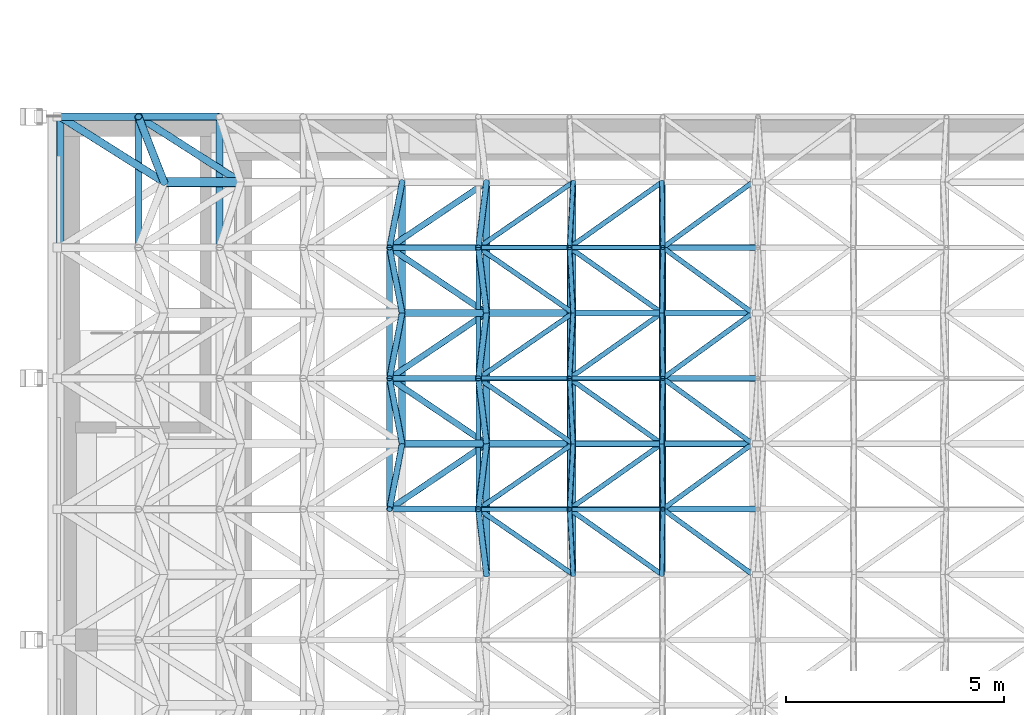
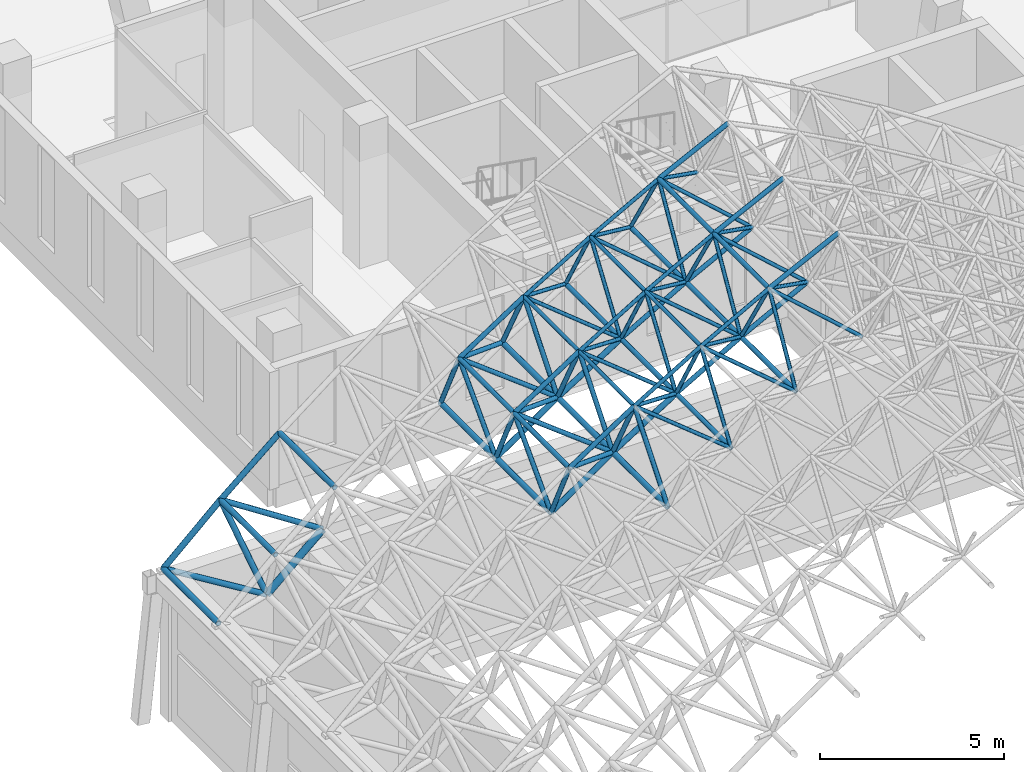
# One storey, part 25 of 141: 94 members.
"""IFC4 building model written with IfcOpenShell, lengths in metres."""

from ifc_helpers import new_model, si_unit, direction, frame, origin, origin_2d, place, context, subcontext, project, spatial, hollow_circle, extrude, material, material_profile, profile_set, type_object, element, save


model = new_model("IFC4")

# Units and contexts
model_context = context("Model", 3, precision=1e-05, world=origin(), true_north=direction((0.0, 1.0)))
body_context = subcontext(model_context, "Body", "Model", "MODEL_VIEW")
ifc_project = project(units=[si_unit("LENGTHUNIT", "METRE"), si_unit("AREAUNIT", "SQUARE_METRE"), si_unit("VOLUMEUNIT", "CUBIC_METRE"), si_unit("PLANEANGLEUNIT", "RADIAN"), si_unit("MASSUNIT", "GRAM", prefix="KILO")], contexts=[model_context])

# Site, building, storey
site_placement = place(None, origin())
site = spatial("IfcSite", under=ifc_project, at=site_placement, CompositionType="ELEMENT")
building_placement = place(site_placement, origin())
building = spatial("IfcBuilding", under=site, at=building_placement, Name="Lantern Court Media Centre", CompositionType="ELEMENT")
storey_placement = place(building_placement, frame((0.0, 0.0, 9.60009765625)))
storey = spatial("IfcBuildingStorey", under=building, at=storey_placement, Name="L02", CompositionType="ELEMENT", Elevation=9.60009765625)

# Members
ifc_material = material(Name="Steel S355J2 (EN 10025-2)", Category="steel")
ifc_material_profile_1 = material_profile(ifc_material, hollow_circle(Radius=0.06982421875, WallThickness=0.00634765625, at=origin_2d()), Name="Cinema Hall bottom CHS 139.7x6.3")
ifc_profile_set_1 = profile_set([ifc_material_profile_1], Name="Steel S355J2 (EN 10025-2)")
member_type_1 = type_object("IfcMemberType", Name="Cinema Hall bottom CHS 139.7x6.3", PredefinedType="CHORD", material=ifc_profile_set_1)
for number, where, z_axis, x_axis, name in (
    (1, (11.76025390625, 29.5, 11.04443359375), (0.0, 1.0, 0.0), (-1.0, 0.0, 0.0), "Cinema Hall bottom chord 06-11"),
    (2, (13.796875, 29.5, 12.21337890625), (0.0, 1.0, 0.0), (-1.0, 0.0, 0.0), "Cinema Hall bottom chord 07-11"),
    (3, (11.76025390625, 32.5, 11.04443359375), (0.0, 1.0, 0.0), (-1.0, 0.0, 0.0), "Cinema Hall bottom chord 06-12"),
    (4, (13.796875, 32.5, 12.21337890625), (0.0, 1.0, 0.0), (-1.0, 0.0, 0.0), "Cinema Hall bottom chord 07-12"),
    (5, (11.76025390625, 35.5, 11.04443359375), (0.0, 1.0, 0.0), (-1.0, 0.0, 0.0), "Cinema Hall bottom chord 06-13"),
    (6, (13.796875, 35.5, 12.21337890625), (0.0, 1.0, 0.0), (-1.0, 0.0, 0.0), "Cinema Hall bottom chord 07-13"),
):
    element("IfcMember", number, at=place(storey_placement, frame(where, z_axis=z_axis, x_axis=x_axis)), inside=storey, type_object=member_type_1, Name=name, PredefinedType="CHORD", context=body_context, shape_type="SweptSolid", body=[
        extrude(hollow_circle(Radius=0.06982421875, WallThickness=0.00634765625, at=origin_2d()), origin(), (0.0, 0.0, 1.0), 3.0),
    ])
member_1_placement = place(storey_placement, frame((11.76025390625, 32.5, 11.04443359375), z_axis=(0.867294659253, 0.0, 0.497795112503), x_axis=(0.0, 1.0, 0.0)))
element("IfcMember", 7, at=member_1_placement, inside=storey, type_object=member_type_1, Name="Cinema Hall bottom chord 06-12 across", PredefinedType="CHORD", context=body_context, shape_type="SweptSolid", body=[
    extrude(hollow_circle(Radius=0.06982421875, WallThickness=0.00634765625, at=origin_2d()), origin(), (0.0, 0.0, 1.0), 2.34814453125),
])
member_2_placement = place(storey_placement, frame((13.796875, 32.5, 12.21337890625), z_axis=(0.88681645353, 0.0, 0.462121821329), x_axis=(0.0, 1.0, 0.0)))
element("IfcMember", 8, at=member_2_placement, inside=storey, type_object=member_type_1, Name="Cinema Hall bottom chord 07-12 across", PredefinedType="CHORD", context=body_context, shape_type="SweptSolid", body=[
    extrude(hollow_circle(Radius=0.06982421875, WallThickness=0.00634765625, at=origin_2d()), origin(), (0.0, 0.0, 1.0), 2.348388671875),
])
member_3_placement = place(storey_placement, frame((11.76025390625, 35.5, 11.04443359375), z_axis=(0.867294659253, 0.0, 0.497795112503), x_axis=(0.0, 1.0, 0.0)))
element("IfcMember", 9, at=member_3_placement, inside=storey, type_object=member_type_1, Name="Cinema Hall bottom chord 06-13 across", PredefinedType="CHORD", context=body_context, shape_type="SweptSolid", body=[
    extrude(hollow_circle(Radius=0.06982421875, WallThickness=0.00634765625, at=origin_2d()), origin(), (0.0, 0.0, 1.0), 2.34814453125),
])
member_4_placement = place(storey_placement, frame((13.796875, 35.5, 12.21337890625), z_axis=(0.88681645353, 0.0, 0.462121821329), x_axis=(0.0, 1.0, 0.0)))
element("IfcMember", 10, at=member_4_placement, inside=storey, type_object=member_type_1, Name="Cinema Hall bottom chord 07-13 across", PredefinedType="CHORD", context=body_context, shape_type="SweptSolid", body=[
    extrude(hollow_circle(Radius=0.06982421875, WallThickness=0.00634765625, at=origin_2d()), origin(), (0.0, 0.0, 1.0), 2.348388671875),
])
ifc_material_profile_2 = material_profile(ifc_material, hollow_circle(Radius=0.084228515625, WallThickness=0.00634765625, at=origin_2d()), Name="Cinema Hall bottom CHS 168.3x6.3")
ifc_profile_set_2 = profile_set([ifc_material_profile_2], Name="Steel S355J2 (EN 10025-2)")
member_type_2 = type_object("IfcMemberType", Name="Cinema Hall bottom CHS 168.3x6.3", PredefinedType="CHORD", material=ifc_profile_set_2)
for number, where, z_axis, x_axis, name in (
    (11, (9.772705078125, 29.5, 9.7939453125), (0.0, 1.0, 0.0), (-1.0, 0.0, 0.0), "Cinema Hall bottom chord 05-11"),
    (12, (9.772705078125, 32.5, 9.7939453125), (0.0, 1.0, 0.0), (-1.0, 0.0, 0.0), "Cinema Hall bottom chord 05-12"),
    (13, (9.772705078125, 35.5, 9.7939453125), (0.0, 1.0, 0.0), (-1.0, 0.0, 0.0), "Cinema Hall bottom chord 05-13"),
):
    element("IfcMember", number, at=place(storey_placement, frame(where, z_axis=z_axis, x_axis=x_axis)), inside=storey, type_object=member_type_2, Name=name, PredefinedType="CHORD", context=body_context, shape_type="SweptSolid", body=[
        extrude(hollow_circle(Radius=0.084228515625, WallThickness=0.00634765625, at=origin_2d()), origin(), (0.0, 0.0, 1.0), 3.0),
    ])
for number, where, z_axis, x_axis, name in (
    (14, (9.772705078125, 32.5, 9.7939453125), (0.846411623189, 0.0, 0.532529214344), (0.0, 1.0, 0.0), "Cinema Hall bottom chord 05-12 across"),
    (15, (9.772705078125, 35.5, 9.7939453125), (0.846411623189, 0.0, 0.532529214344), (0.0, 1.0, 0.0), "Cinema Hall bottom chord 05-13 across"),
):
    element("IfcMember", number, at=place(storey_placement, frame(where, z_axis=z_axis, x_axis=x_axis)), inside=storey, type_object=member_type_2, Name=name, PredefinedType="CHORD", context=body_context, shape_type="SweptSolid", body=[
        extrude(hollow_circle(Radius=0.084228515625, WallThickness=0.00634765625, at=origin_2d()), origin(), (0.0, 0.0, 1.0), 2.34814453125),
    ])
ifc_material_profile_3 = material_profile(ifc_material, hollow_circle(Radius=0.084228515625, WallThickness=0.008056640625, at=origin_2d()), Name="Cinema Hall bottom CHS 168.3x8")
ifc_profile_set_3 = profile_set([ifc_material_profile_3], Name="Steel S355J2 (EN 10025-2)")
member_type_3 = type_object("IfcMemberType", Name="Cinema Hall bottom CHS 168.3x8", PredefinedType="CHORD", material=ifc_profile_set_3)
for number, where, z_axis, x_axis, name in (
    (16, (7.837646484375, 32.5, 8.463623046875), (0.0, 1.0, 0.0), (-1.0, 0.0, 0.0), "Cinema Hall bottom chord 04-12"),
    (17, (7.837646484375, 35.5, 8.463623046875), (0.0, 1.0, 0.0), (-1.0, 0.0, 0.0), "Cinema Hall bottom chord 04-13"),
):
    element("IfcMember", number, at=place(storey_placement, frame(where, z_axis=z_axis, x_axis=x_axis)), inside=storey, type_object=member_type_3, Name=name, PredefinedType="CHORD", context=body_context, shape_type="SweptSolid", body=[
        extrude(hollow_circle(Radius=0.084228515625, WallThickness=0.008056640625, at=origin_2d()), origin(), (0.0, 0.0, 1.0), 3.0),
    ])
for number, where, z_axis, x_axis, name in (
    (18, (7.837646484375, 32.5, 8.463623046875), (0.824047991233, 0.0, 0.56651999801), (0.0, 1.0, 0.0), "Cinema Hall bottom chord 04-12 across"),
    (19, (7.837646484375, 35.5, 8.463623046875), (0.824047991233, 0.0, 0.56651999801), (0.0, 1.0, 0.0), "Cinema Hall bottom chord 04-13 across"),
):
    element("IfcMember", number, at=place(storey_placement, frame(where, z_axis=z_axis, x_axis=x_axis)), inside=storey, type_object=member_type_3, Name=name, PredefinedType="CHORD", context=body_context, shape_type="SweptSolid", body=[
        extrude(hollow_circle(Radius=0.084228515625, WallThickness=0.008056640625, at=origin_2d()), origin(), (0.0, 0.0, 1.0), 2.34814453125),
    ])
ifc_material_profile_4 = material_profile(ifc_material, hollow_circle(Radius=0.109619140625, WallThickness=0.010009765625, at=origin_2d()), Name="Cinema Hall bottom CHS 219.1x10")
ifc_profile_set_4 = profile_set([ifc_material_profile_4], Name="Steel S355J2 (EN 10025-2)")
member_type_4 = type_object("IfcMemberType", Name="Cinema Hall bottom CHS 219.1x10", PredefinedType="CHORD", material=ifc_profile_set_4)
member_5_placement = place(storey_placement, frame((2.378662109375, 38.5, 4.016845703125), z_axis=(0.749030294531, 0.0, 0.662535748375), x_axis=(0.0, 1.0, 0.0)))
element("IfcMember", 20, at=member_5_placement, inside=storey, type_object=member_type_4, Name="Cinema Hall bottom chord 01-14 across", PredefinedType="CHORD", context=body_context, shape_type="SweptSolid", body=[
    extrude(hollow_circle(Radius=0.109619140625, WallThickness=0.010009765625, at=origin_2d()), origin(), (0.0, 0.0, 1.0), 2.348388671875),
])
ifc_material_profile_5 = material_profile(ifc_material, hollow_circle(Radius=0.05712890625, WallThickness=0.0048828125, at=origin_2d()), Name="Cinema Hall diagonal CHS 114.3x5")
ifc_profile_set_5 = profile_set([ifc_material_profile_5], Name="Steel S355J2 (EN 10025-2)")
member_type_5 = type_object("IfcMemberType", Name="Cinema Hall diagonal CHS 114.3x5", PredefinedType="BRACE", material=ifc_profile_set_5)
for number, where, z_axis, x_axis, name in (
    (21, (15.87939453125, 29.5, 13.298583984375), (-0.706879781117, 0.513851085564, 0.486084392789), (-0.587989591395, -0.808868493892, 0.0), "Cinema Hall diagonal 08-11-4"),
    (22, (15.87939453125, 32.5, 13.298583984375), (-0.706879781117, -0.513851085564, 0.486084392789), (0.587989591395, -0.808868493892, 0.0), "Cinema Hall diagonal 08-12-1"),
    (23, (15.87939453125, 32.5, 13.298583984375), (-0.706879781117, 0.513851085564, 0.486084392789), (-0.587989591395, -0.808868493892, 0.0), "Cinema Hall diagonal 08-12-4"),
    (24, (15.87939453125, 35.5, 13.298583984375), (-0.706879781117, -0.513851085564, 0.486084392789), (0.587989591395, -0.808868493892, 0.0), "Cinema Hall diagonal 08-13-1"),
    (25, (15.87939453125, 35.5, 13.298583984375), (-0.706879781117, 0.513851085564, 0.486084392789), (-0.587989591395, -0.808868493892, 0.0), "Cinema Hall diagonal 08-13-4"),
    (26, (15.87939453125, 38.5, 13.298583984375), (-0.706879781117, -0.513851085564, 0.486084392789), (0.587989591395, -0.808868493892, 0.0), "Cinema Hall diagonal 08-14-1"),
):
    element("IfcMember", number, at=place(storey_placement, frame(where, z_axis=z_axis, x_axis=x_axis)), inside=storey, type_object=member_type_5, Name=name, PredefinedType="BRACE", context=body_context, shape_type="SweptSolid", body=[
        extrude(hollow_circle(Radius=0.05712890625, WallThickness=0.0048828125, at=origin_2d()), origin(), (0.0, 0.0, 1.0), 2.919189453125),
    ])
ifc_material_profile_6 = material_profile(ifc_material, hollow_circle(Radius=0.05712890625, WallThickness=0.00634765625, at=origin_2d()), Name="Cinema Hall diagonal CHS 114.3x6.3")
ifc_profile_set_6 = profile_set([ifc_material_profile_6], Name="Steel S355J2 (EN 10025-2)")
member_type_6 = type_object("IfcMemberType", Name="Cinema Hall diagonal CHS 114.3x6.3", PredefinedType="BRACE", material=ifc_profile_set_6)
for number, where, z_axis, x_axis, name in (
    (27, (11.76025390625, 29.5, 11.04443359375), (-0.028351859734, 0.513846095007, 0.857413763999), (-0.998481283351, -0.055091984872, 0.0), "Cinema Hall diagonal 06-11-3"),
    (28, (11.76025390625, 29.5, 11.04443359375), (-0.744001537395, 0.513842788417, 0.427115091218), (-0.568286154794, -0.822830994962, 0.0), "Cinema Hall diagonal 06-11-4"),
    (29, (13.796875, 29.5, 12.21337890625), (0.006523580306, 0.513857402591, 0.857850810283), (-0.99991942426, 0.012694289566, 0.0), "Cinema Hall diagonal 07-11-3"),
    (30, (13.796875, 29.5, 12.21337890625), (-0.726033609038, 0.513852147671, 0.456980490702), (-0.577701627838, -0.816248019411, 0.0), "Cinema Hall diagonal 07-11-4"),
    (31, (11.76025390625, 32.5, 11.04443359375), (-0.744001537395, -0.513842788417, 0.427115091218), (0.568286154794, -0.822830994962, 0.0), "Cinema Hall diagonal 06-12-1"),
    (32, (11.76025390625, 32.5, 11.04443359375), (-0.028351859734, -0.513846095007, 0.857413763999), (0.998481283351, -0.055091984872, 0.0), "Cinema Hall diagonal 06-12-2"),
    (33, (11.76025390625, 32.5, 11.04443359375), (-0.028351859734, 0.513846095007, 0.857413763999), (-0.998481283351, -0.055091984872, 0.0), "Cinema Hall diagonal 06-12-3"),
    (34, (11.76025390625, 32.5, 11.04443359375), (-0.744001537395, 0.513842788417, 0.427115091218), (-0.568286154794, -0.822830994962, 0.0), "Cinema Hall diagonal 06-12-4"),
    (35, (13.796875, 32.5, 12.21337890625), (-0.726033609038, -0.513852147671, 0.456980490702), (0.577701627838, -0.816248019411, 0.0), "Cinema Hall diagonal 07-12-1"),
    (36, (13.796875, 32.5, 12.21337890625), (0.006523580306, -0.513857402591, 0.857850810283), (0.99991942426, 0.012694289566, 0.0), "Cinema Hall diagonal 07-12-2"),
    (37, (13.796875, 32.5, 12.21337890625), (0.006523580306, 0.513857402591, 0.857850810283), (-0.99991942426, 0.012694289566, 0.0), "Cinema Hall diagonal 07-12-3"),
    (38, (13.796875, 32.5, 12.21337890625), (-0.726033609038, 0.513852147671, 0.456980490702), (-0.577701627838, -0.816248019411, 0.0), "Cinema Hall diagonal 07-12-4"),
    (39, (11.76025390625, 35.5, 11.04443359375), (-0.744001537395, -0.513842788417, 0.427115091218), (0.568286154794, -0.822830994962, 0.0), "Cinema Hall diagonal 06-13-1"),
    (40, (11.76025390625, 35.5, 11.04443359375), (-0.028351859734, -0.513846095007, 0.857413763999), (0.998481283351, -0.055091984872, 0.0), "Cinema Hall diagonal 06-13-2"),
    (41, (11.76025390625, 35.5, 11.04443359375), (-0.028351859734, 0.513846095007, 0.857413763999), (-0.998481283351, -0.055091984872, 0.0), "Cinema Hall diagonal 06-13-3"),
    (42, (11.76025390625, 35.5, 11.04443359375), (-0.744001537395, 0.513842788417, 0.427115091218), (-0.568286154794, -0.822830994962, 0.0), "Cinema Hall diagonal 06-13-4"),
    (43, (13.796875, 35.5, 12.21337890625), (-0.726033609038, -0.513852147671, 0.456980490702), (0.577701627838, -0.816248019411, 0.0), "Cinema Hall diagonal 07-13-1"),
    (44, (13.796875, 35.5, 12.21337890625), (0.006523580306, -0.513857402591, 0.857850810283), (0.99991942426, 0.012694289566, 0.0), "Cinema Hall diagonal 07-13-2"),
    (45, (13.796875, 35.5, 12.21337890625), (0.006523580306, 0.513857402591, 0.857850810283), (-0.99991942426, 0.012694289566, 0.0), "Cinema Hall diagonal 07-13-3"),
    (46, (13.796875, 35.5, 12.21337890625), (-0.726033609038, 0.513852147671, 0.456980490702), (-0.577701627838, -0.816248019411, 0.0), "Cinema Hall diagonal 07-13-4"),
    (47, (11.76025390625, 38.5, 11.04443359375), (-0.744001537395, -0.513842788417, 0.427115091218), (0.568286154794, -0.822830994962, 0.0), "Cinema Hall diagonal 06-14-1"),
    (48, (11.76025390625, 38.5, 11.04443359375), (-0.028351859734, -0.513846095007, 0.857413763999), (0.998481283351, -0.055091984872, 0.0), "Cinema Hall diagonal 06-14-2"),
    (49, (13.796875, 38.5, 12.21337890625), (-0.726033609038, -0.513852147671, 0.456980490702), (0.577701627838, -0.816248019411, 0.0), "Cinema Hall diagonal 07-14-1"),
    (50, (13.796875, 38.5, 12.21337890625), (0.006523580306, -0.513857402591, 0.857850810283), (0.99991942426, 0.012694289566, 0.0), "Cinema Hall diagonal 07-14-2"),
):
    element("IfcMember", number, at=place(storey_placement, frame(where, z_axis=z_axis, x_axis=x_axis)), inside=storey, type_object=member_type_6, Name=name, PredefinedType="BRACE", context=body_context, shape_type="SweptSolid", body=[
        extrude(hollow_circle(Radius=0.05712890625, WallThickness=0.00634765625, at=origin_2d()), origin(), (0.0, 0.0, 1.0), 2.919189453125),
    ])
ifc_material_profile_7 = material_profile(ifc_material, hollow_circle(Radius=0.06982421875, WallThickness=0.00634765625, at=origin_2d()), Name="Cinema Hall diagonal CHS 139.7x6.3")
ifc_profile_set_7 = profile_set([ifc_material_profile_7], Name="Steel S355J2 (EN 10025-2)")
member_type_7 = type_object("IfcMemberType", Name="Cinema Hall diagonal CHS 139.7x6.3", PredefinedType="BRACE", material=ifc_profile_set_7)
member_6_placement = place(storey_placement, frame((9.772705078125, 29.5, 9.7939453125), z_axis=(-0.063147046974, 0.513874776966, 0.855537938409), x_axis=(-0.992534194664, -0.121966685705, 0.0)))
element("IfcMember", 51, at=member_6_placement, inside=storey, type_object=member_type_7, Name="Cinema Hall diagonal 05-11-3", PredefinedType="BRACE", context=body_context, shape_type="SweptSolid", body=[
    extrude(hollow_circle(Radius=0.06982421875, WallThickness=0.00634765625, at=origin_2d()), origin(), (0.0, 0.0, 1.0), 2.9189453125),
])
member_7_placement = place(storey_placement, frame((9.772705078125, 32.5, 9.7939453125), z_axis=(-0.760744068819, -0.513853513503, 0.396513591718), x_axis=(0.559735691147, -0.828671199003, 0.0)))
element("IfcMember", 52, at=member_7_placement, inside=storey, type_object=member_type_7, Name="Cinema Hall diagonal 05-12-1", PredefinedType="BRACE", context=body_context, shape_type="SweptSolid", body=[
    extrude(hollow_circle(Radius=0.06982421875, WallThickness=0.00634765625, at=origin_2d()), origin(), (0.0, 0.0, 1.0), 2.919189453125),
])
for number, where, z_axis, x_axis, name in (
    (53, (9.772705078125, 32.5, 9.7939453125), (-0.063147046974, -0.513874776966, 0.855537938409), (0.992534194664, -0.121966685705, 0.0), "Cinema Hall diagonal 05-12-2"),
    (54, (9.772705078125, 32.5, 9.7939453125), (-0.063147046974, 0.513874776966, 0.855537938409), (-0.992534194664, -0.121966685705, 0.0), "Cinema Hall diagonal 05-12-3"),
):
    element("IfcMember", number, at=place(storey_placement, frame(where, z_axis=z_axis, x_axis=x_axis)), inside=storey, type_object=member_type_7, Name=name, PredefinedType="BRACE", context=body_context, shape_type="SweptSolid", body=[
        extrude(hollow_circle(Radius=0.06982421875, WallThickness=0.00634765625, at=origin_2d()), origin(), (0.0, 0.0, 1.0), 2.9189453125),
    ])
for number, where, z_axis, x_axis, name in (
    (55, (9.772705078125, 32.5, 9.7939453125), (-0.760744068819, 0.513853513503, 0.396513591718), (-0.559735691147, -0.828671199003, 0.0), "Cinema Hall diagonal 05-12-4"),
    (56, (9.772705078125, 35.5, 9.7939453125), (-0.760744068819, -0.513853513503, 0.396513591718), (0.559735691147, -0.828671199003, 0.0), "Cinema Hall diagonal 05-13-1"),
):
    element("IfcMember", number, at=place(storey_placement, frame(where, z_axis=z_axis, x_axis=x_axis)), inside=storey, type_object=member_type_7, Name=name, PredefinedType="BRACE", context=body_context, shape_type="SweptSolid", body=[
        extrude(hollow_circle(Radius=0.06982421875, WallThickness=0.00634765625, at=origin_2d()), origin(), (0.0, 0.0, 1.0), 2.919189453125),
    ])
for number, where, z_axis, x_axis, name in (
    (57, (9.772705078125, 35.5, 9.7939453125), (-0.063147046974, -0.513874776966, 0.855537938409), (0.992534194664, -0.121966685705, 0.0), "Cinema Hall diagonal 05-13-2"),
    (58, (9.772705078125, 35.5, 9.7939453125), (-0.063147046974, 0.513874776966, 0.855537938409), (-0.992534194664, -0.121966685705, 0.0), "Cinema Hall diagonal 05-13-3"),
):
    element("IfcMember", number, at=place(storey_placement, frame(where, z_axis=z_axis, x_axis=x_axis)), inside=storey, type_object=member_type_7, Name=name, PredefinedType="BRACE", context=body_context, shape_type="SweptSolid", body=[
        extrude(hollow_circle(Radius=0.06982421875, WallThickness=0.00634765625, at=origin_2d()), origin(), (0.0, 0.0, 1.0), 2.9189453125),
    ])
for number, where, z_axis, x_axis, name in (
    (59, (9.772705078125, 35.5, 9.7939453125), (-0.760744068819, 0.513853513503, 0.396513591718), (-0.559735691147, -0.828671199003, 0.0), "Cinema Hall diagonal 05-13-4"),
    (60, (9.772705078125, 38.5, 9.7939453125), (-0.760744068819, -0.513853513503, 0.396513591718), (0.559735691147, -0.828671199003, 0.0), "Cinema Hall diagonal 05-14-1"),
):
    element("IfcMember", number, at=place(storey_placement, frame(where, z_axis=z_axis, x_axis=x_axis)), inside=storey, type_object=member_type_7, Name=name, PredefinedType="BRACE", context=body_context, shape_type="SweptSolid", body=[
        extrude(hollow_circle(Radius=0.06982421875, WallThickness=0.00634765625, at=origin_2d()), origin(), (0.0, 0.0, 1.0), 2.919189453125),
    ])
member_8_placement = place(storey_placement, frame((9.772705078125, 38.5, 9.7939453125), z_axis=(-0.063147046974, -0.513874776966, 0.855537938409), x_axis=(0.992534194664, -0.121966685705, 0.0)))
element("IfcMember", 61, at=member_8_placement, inside=storey, type_object=member_type_7, Name="Cinema Hall diagonal 05-14-2", PredefinedType="BRACE", context=body_context, shape_type="SweptSolid", body=[
    extrude(hollow_circle(Radius=0.06982421875, WallThickness=0.00634765625, at=origin_2d()), origin(), (0.0, 0.0, 1.0), 2.9189453125),
])
ifc_material_profile_8 = material_profile(ifc_material, hollow_circle(Radius=0.06982421875, WallThickness=0.008056640625, at=origin_2d()), Name="Cinema Hall diagonal CHS 139.7x8")
ifc_profile_set_8 = profile_set([ifc_material_profile_8], Name="Steel S355J2 (EN 10025-2)")
member_type_8 = type_object("IfcMemberType", Name="Cinema Hall diagonal CHS 139.7x8", PredefinedType="BRACE", material=ifc_profile_set_8)
for number, where, z_axis, x_axis, name in (
    (62, (7.837646484375, 32.5, 8.463623046875), (-0.09785614588, -0.51387022247, 0.852268484207), (0.982346962135, -0.187068025016, 0.0), "Cinema Hall diagonal 04-12-2"),
    (63, (7.837646484375, 32.5, 8.463623046875), (-0.09785614588, 0.51387022247, 0.852268484207), (-0.982346962135, -0.187068025016, 0.0), "Cinema Hall diagonal 04-12-3"),
    (64, (7.837646484375, 35.5, 8.463623046875), (-0.09785614588, -0.51387022247, 0.852268484207), (0.982346962135, -0.187068025016, 0.0), "Cinema Hall diagonal 04-13-2"),
    (65, (7.837646484375, 35.5, 8.463623046875), (-0.09785614588, 0.51387022247, 0.852268484207), (-0.982346962135, -0.187068025016, 0.0), "Cinema Hall diagonal 04-13-3"),
    (66, (7.837646484375, 38.5, 8.463623046875), (-0.09785614588, -0.51387022247, 0.852268484207), (0.982346962135, -0.187068025016, 0.0), "Cinema Hall diagonal 04-14-2"),
):
    element("IfcMember", number, at=place(storey_placement, frame(where, z_axis=z_axis, x_axis=x_axis)), inside=storey, type_object=member_type_8, Name=name, PredefinedType="BRACE", context=body_context, shape_type="SweptSolid", body=[
        extrude(hollow_circle(Radius=0.06982421875, WallThickness=0.008056640625, at=origin_2d()), origin(), (0.0, 0.0, 1.0), 2.9189453125),
    ])
ifc_material_profile_9 = material_profile(ifc_material, hollow_circle(Radius=0.084228515625, WallThickness=0.010009765625, at=origin_2d()), Name="Cinema Hall diagonal CHS 168.3x10")
ifc_profile_set_9 = profile_set([ifc_material_profile_9], Name="Steel S355J2 (EN 10025-2)")
member_type_9 = type_object("IfcMemberType", Name="Cinema Hall diagonal CHS 168.3x10", PredefinedType="BRACE", material=ifc_profile_set_9)
member_9_placement = place(storey_placement, frame((4.1376953125, 38.5, 5.57275390625), z_axis=(-0.803309435106, 0.513850408047, 0.301084223465), x_axis=(-0.538854579896, -0.842398802068, 0.0)))
element("IfcMember", 67, at=member_9_placement, inside=storey, type_object=member_type_9, Name="Cinema Hall diagonal 02-14-4", PredefinedType="BRACE", context=body_context, shape_type="SweptSolid", body=[
    extrude(hollow_circle(Radius=0.084228515625, WallThickness=0.010009765625, at=origin_2d()), origin(), (0.0, 0.0, 1.0), 2.919189453125),
])
ifc_material_profile_10 = material_profile(ifc_material, hollow_circle(Radius=0.0888671875, WallThickness=0.010009765625, at=origin_2d()), Name="Cinema Hall diagonal CHS 177.8x10")
ifc_profile_set_10 = profile_set([ifc_material_profile_10], Name="Steel S355J2 (EN 10025-2)")
member_type_10 = type_object("IfcMemberType", Name="Cinema Hall diagonal CHS 177.8x10", PredefinedType="BRACE", material=ifc_profile_set_10)
for number, where, z_axis, x_axis, name in (
    (68, (2.378662109375, 38.5, 4.016845703125), (-0.200719513512, 0.513841954591, 0.834073211773), (-0.93145734948, -0.36385052714, 0.0), "Cinema Hall diagonal 01-14-3"),
    (69, (2.378662109375, 38.5, 4.016845703125), (-0.814865608485, 0.513859622142, 0.268220671909), (-0.533404912089, -0.845860035561, 0.0), "Cinema Hall diagonal 01-14-4"),
):
    element("IfcMember", number, at=place(storey_placement, frame(where, z_axis=z_axis, x_axis=x_axis)), inside=storey, type_object=member_type_10, Name=name, PredefinedType="BRACE", context=body_context, shape_type="SweptSolid", body=[
        extrude(hollow_circle(Radius=0.0888671875, WallThickness=0.010009765625, at=origin_2d()), origin(), (0.0, 0.0, 1.0), 2.919189453125),
    ])
ifc_material_profile_11 = material_profile(ifc_material, hollow_circle(Radius=0.05712890625, WallThickness=0.00634765625, at=origin_2d()), Name="Cinema Hall top CHS 114.3x6.3")
ifc_profile_set_11 = profile_set([ifc_material_profile_11], Name="Steel S355J2 (EN 10025-2)")
member_type_11 = type_object("IfcMemberType", Name="Cinema Hall top CHS 114.3x6.3", PredefinedType="CHORD", material=ifc_profile_set_11)
for number, where, z_axis, x_axis, name in (
    (70, (9.58837890625, 31.0, 12.291259765625), (0.0, 1.0, 0.0), (-1.0, 0.0, 0.0), "Cinema Hall top chord 06-12"),
    (71, (11.677490234375, 31.0, 13.54736328125), (0.0, 1.0, 0.0), (-1.0, 0.0, 0.0), "Cinema Hall top chord 07-12"),
    (72, (9.58837890625, 34.0, 12.291259765625), (0.0, 1.0, 0.0), (-1.0, 0.0, 0.0), "Cinema Hall top chord 06-13"),
    (73, (11.677490234375, 34.0, 13.54736328125), (0.0, 1.0, 0.0), (-1.0, 0.0, 0.0), "Cinema Hall top chord 07-13"),
):
    element("IfcMember", number, at=place(storey_placement, frame(where, z_axis=z_axis, x_axis=x_axis)), inside=storey, type_object=member_type_11, Name=name, PredefinedType="CHORD", context=body_context, shape_type="SweptSolid", body=[
        extrude(hollow_circle(Radius=0.05712890625, WallThickness=0.00634765625, at=origin_2d()), origin(), (0.0, 0.0, 1.0), 3.0),
    ])
for number, where, z_axis, x_axis, name in (
    (74, (9.58837890625, 31.0, 12.291259765625), (0.857015353865, 0.0, 0.515290872459), (0.0, 1.0, 0.0), "Cinema Hall top chord 06-12 across"),
    (75, (11.677490234375, 31.0, 13.54736328125), (0.87724791815, 0.0, 0.480037592384), (0.0, 1.0, 0.0), "Cinema Hall top chord 07-12 across"),
    (76, (9.58837890625, 34.0, 12.291259765625), (0.857015353865, 0.0, 0.515290872459), (0.0, 1.0, 0.0), "Cinema Hall top chord 06-13 across"),
    (77, (11.677490234375, 34.0, 13.54736328125), (0.87724791815, 0.0, 0.480037592384), (0.0, 1.0, 0.0), "Cinema Hall top chord 07-13 across"),
    (78, (9.58837890625, 37.0, 12.291259765625), (0.857015353865, 0.0, 0.515290872459), (0.0, 1.0, 0.0), "Cinema Hall top chord 06-14 across"),
    (79, (11.677490234375, 37.0, 13.54736328125), (0.87724791815, 0.0, 0.480037592384), (0.0, 1.0, 0.0), "Cinema Hall top chord 07-14 across"),
):
    element("IfcMember", number, at=place(storey_placement, frame(where, z_axis=z_axis, x_axis=x_axis)), inside=storey, type_object=member_type_11, Name=name, PredefinedType="CHORD", context=body_context, shape_type="SweptSolid", body=[
        extrude(hollow_circle(Radius=0.05712890625, WallThickness=0.00634765625, at=origin_2d()), origin(), (0.0, 0.0, 1.0), 2.437744140625),
    ])
ifc_material_profile_12 = material_profile(ifc_material, hollow_circle(Radius=0.06982421875, WallThickness=0.0048828125, at=origin_2d()), Name="Cinema Hall top CHS 139.7x5")
ifc_profile_set_12 = profile_set([ifc_material_profile_12], Name="Steel S355J2 (EN 10025-2)")
member_type_12 = type_object("IfcMemberType", Name="Cinema Hall top CHS 139.7x5", PredefinedType="CHORD", material=ifc_profile_set_12)
for number, where, z_axis, x_axis, name in (
    (80, (13.81591796875, 31.0, 14.717529296875), (0.0, 1.0, 0.0), (-1.0, 0.0, 0.0), "Cinema Hall top chord 08-12"),
    (81, (13.81591796875, 34.0, 14.717529296875), (0.0, 1.0, 0.0), (-1.0, 0.0, 0.0), "Cinema Hall top chord 08-13"),
):
    element("IfcMember", number, at=place(storey_placement, frame(where, z_axis=z_axis, x_axis=x_axis)), inside=storey, type_object=member_type_12, Name=name, PredefinedType="CHORD", context=body_context, shape_type="SweptSolid", body=[
        extrude(hollow_circle(Radius=0.06982421875, WallThickness=0.0048828125, at=origin_2d()), origin(), (0.0, 0.0, 1.0), 3.0),
    ])
for number, where, z_axis, x_axis, name in (
    (82, (13.81591796875, 31.0, 14.717529296875), (0.896023995237, 0.0, 0.444005630549), (0.0, 1.0, 0.0), "Cinema Hall top chord 08-12 across"),
    (83, (13.81591796875, 34.0, 14.717529296875), (0.896023995237, 0.0, 0.444005630549), (0.0, 1.0, 0.0), "Cinema Hall top chord 08-13 across"),
    (84, (13.81591796875, 37.0, 14.717529296875), (0.896023995237, 0.0, 0.444005630549), (0.0, 1.0, 0.0), "Cinema Hall top chord 08-14 across"),
):
    element("IfcMember", number, at=place(storey_placement, frame(where, z_axis=z_axis, x_axis=x_axis)), inside=storey, type_object=member_type_12, Name=name, PredefinedType="CHORD", context=body_context, shape_type="SweptSolid", body=[
        extrude(hollow_circle(Radius=0.06982421875, WallThickness=0.0048828125, at=origin_2d()), origin(), (0.0, 0.0, 1.0), 2.4375),
    ])
ifc_material_profile_13 = material_profile(ifc_material, hollow_circle(Radius=0.06982421875, WallThickness=0.00634765625, at=origin_2d()), Name="Cinema Hall top CHS 139.7x6.3")
ifc_profile_set_13 = profile_set([ifc_material_profile_13], Name="Steel S355J2 (EN 10025-2)")
member_type_13 = type_object("IfcMemberType", Name="Cinema Hall top CHS 139.7x6.3", PredefinedType="CHORD", material=ifc_profile_set_13)
for number, where, z_axis, x_axis, name in (
    (85, (7.552001953125, 31.0, 10.951416015625), (0.0, 1.0, 0.0), (-1.0, 0.0, 0.0), "Cinema Hall top chord 05-12"),
    (86, (7.552001953125, 34.0, 10.951416015625), (0.0, 1.0, 0.0), (-1.0, 0.0, 0.0), "Cinema Hall top chord 05-13"),
):
    element("IfcMember", number, at=place(storey_placement, frame(where, z_axis=z_axis, x_axis=x_axis)), inside=storey, type_object=member_type_13, Name=name, PredefinedType="CHORD", context=body_context, shape_type="SweptSolid", body=[
        extrude(hollow_circle(Radius=0.06982421875, WallThickness=0.00634765625, at=origin_2d()), origin(), (0.0, 0.0, 1.0), 3.0),
    ])
for number, where, z_axis, x_axis, name in (
    (87, (7.552001953125, 31.0, 10.951416015625), (0.835394087943, 0.0, 0.549651451221), (0.0, 1.0, 0.0), "Cinema Hall top chord 05-12 across"),
    (88, (7.552001953125, 34.0, 10.951416015625), (0.835394087943, 0.0, 0.549651451221), (0.0, 1.0, 0.0), "Cinema Hall top chord 05-13 across"),
    (89, (7.552001953125, 37.0, 10.951416015625), (0.835394087943, 0.0, 0.549651451221), (0.0, 1.0, 0.0), "Cinema Hall top chord 05-14 across"),
):
    element("IfcMember", number, at=place(storey_placement, frame(where, z_axis=z_axis, x_axis=x_axis)), inside=storey, type_object=member_type_13, Name=name, PredefinedType="CHORD", context=body_context, shape_type="SweptSolid", body=[
        extrude(hollow_circle(Radius=0.06982421875, WallThickness=0.00634765625, at=origin_2d()), origin(), (0.0, 0.0, 1.0), 2.437744140625),
    ])
ifc_material_profile_14 = material_profile(ifc_material, hollow_circle(Radius=0.084228515625, WallThickness=0.010009765625, at=origin_2d()), Name="Cinema Hall top CHS 168.3x10")
ifc_profile_set_14 = profile_set([ifc_material_profile_14], Name="Steel S355J2 (EN 10025-2)")
member_type_14 = type_object("IfcMemberType", Name="Cinema Hall top CHS 168.3x10", PredefinedType="CHORD", material=ifc_profile_set_14)
member_10_placement = place(storey_placement, frame((1.792724609375, 37.0, 6.45166015625), z_axis=(0.0, 1.0, 0.0), x_axis=(-1.0, 0.0, 0.0)))
element("IfcMember", 90, at=member_10_placement, inside=storey, type_object=member_type_14, Name="Cinema Hall top chord 02-14", PredefinedType="CHORD", context=body_context, shape_type="SweptSolid", body=[
    extrude(hollow_circle(Radius=0.084228515625, WallThickness=0.010009765625, at=origin_2d()), origin(), (0.0, 0.0, 1.0), 3.0),
])
member_11_placement = place(storey_placement, frame((1.792724609375, 40.0, 6.45166015625), z_axis=(0.762393833283, 0.0, 0.647113315403), x_axis=(0.0, 1.0, 0.0)))
element("IfcMember", 91, at=member_11_placement, inside=storey, type_object=member_type_14, Name="Cinema Hall top chord 02-15 across", PredefinedType="CHORD", context=body_context, shape_type="SweptSolid", body=[
    extrude(hollow_circle(Radius=0.084228515625, WallThickness=0.010009765625, at=origin_2d()), origin(), (0.0, 0.0, 1.0), 2.4375),
])
ifc_material_profile_15 = material_profile(ifc_material, hollow_circle(Radius=0.084228515625, WallThickness=0.008056640625, at=origin_2d()), Name="Cinema Hall top CHS 168.3x8")
ifc_profile_set_15 = profile_set([ifc_material_profile_15], Name="Steel S355J2 (EN 10025-2)")
member_type_15 = type_object("IfcMemberType", Name="Cinema Hall top CHS 168.3x8", PredefinedType="CHORD", material=ifc_profile_set_15)
member_12_placement = place(storey_placement, frame((3.651123046875, 37.0, 8.029052734375), z_axis=(0.0, 1.0, 0.0), x_axis=(-1.0, 0.0, 0.0)))
element("IfcMember", 92, at=member_12_placement, inside=storey, type_object=member_type_15, Name="Cinema Hall top chord 03-14", PredefinedType="CHORD", context=body_context, shape_type="SweptSolid", body=[
    extrude(hollow_circle(Radius=0.084228515625, WallThickness=0.008056640625, at=origin_2d()), origin(), (0.0, 0.0, 1.0), 3.0),
])
ifc_material_profile_16 = material_profile(ifc_material, hollow_circle(Radius=0.0888671875, WallThickness=0.010009765625, at=origin_2d()), Name="Cinema Hall top CHS 177.8x10")
ifc_profile_set_16 = profile_set([ifc_material_profile_16], Name="Steel S355J2 (EN 10025-2)")
member_type_16 = type_object("IfcMemberType", Name="Cinema Hall top CHS 177.8x10", PredefinedType="CHORD", material=ifc_profile_set_16)
member_13_placement = place(storey_placement, frame((0.0, 37.0, 4.7998046875), z_axis=(0.0, 1.0, 0.0), x_axis=(-1.0, 0.0, 0.0)))
element("IfcMember", 93, at=member_13_placement, inside=storey, type_object=member_type_16, Name="Cinema Hall top chord 01-14", PredefinedType="CHORD", context=body_context, shape_type="SweptSolid", body=[
    extrude(hollow_circle(Radius=0.0888671875, WallThickness=0.010009765625, at=origin_2d()), origin(), (0.0, 0.0, 1.0), 3.0),
])
member_14_placement = place(storey_placement, frame((0.0, 40.0, 4.7998046875), z_axis=(0.735409817039, 0.0, 0.677622609572), x_axis=(0.0, 1.0, 0.0)))
element("IfcMember", 94, at=member_14_placement, inside=storey, type_object=member_type_16, Name="Cinema Hall top chord 01-15 across", PredefinedType="CHORD", context=body_context, shape_type="SweptSolid", body=[
    extrude(hollow_circle(Radius=0.0888671875, WallThickness=0.010009765625, at=origin_2d()), origin(), (0.0, 0.0, 1.0), 2.437744140625),
])

save(model, "model.ifc")
